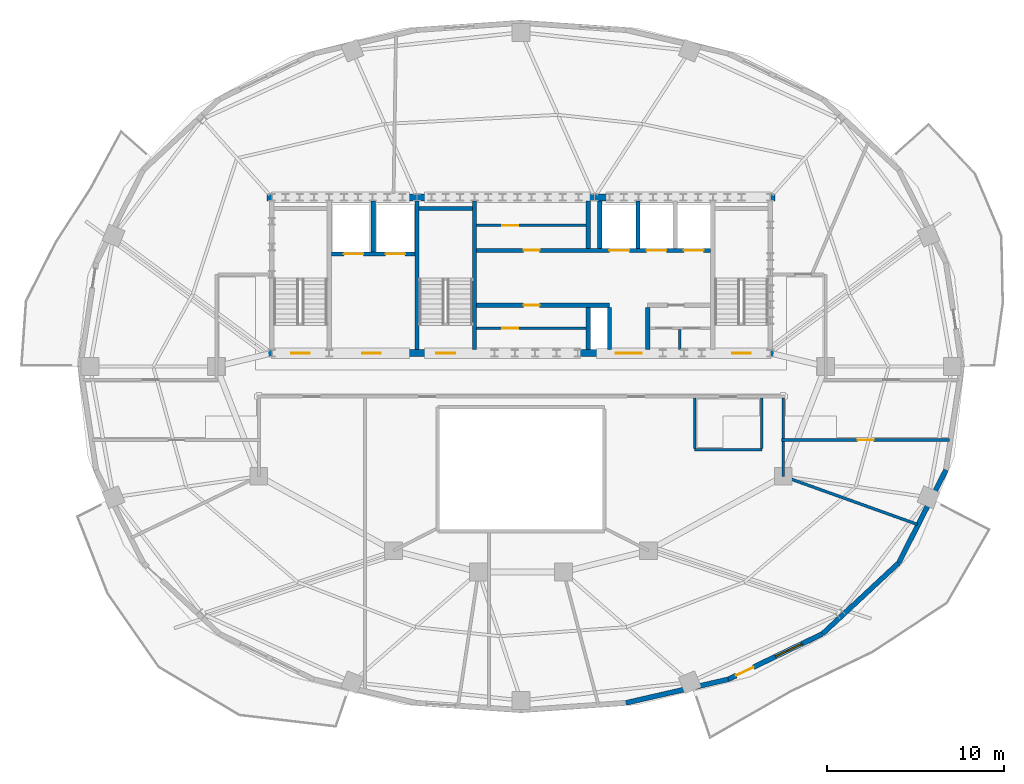
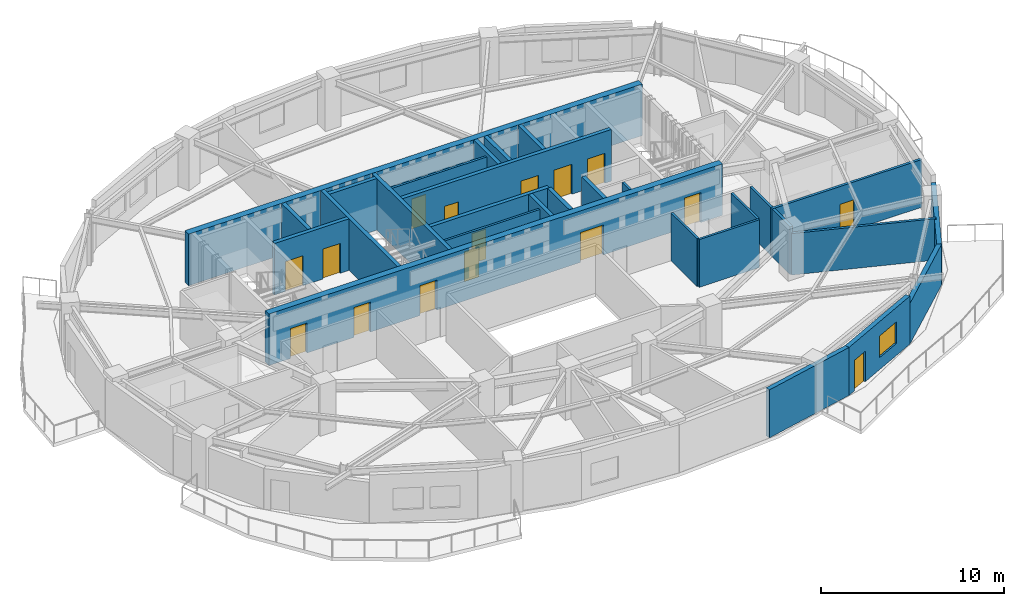
# One storey, part 4 of 10: 29 walls, 16 doors, 1 window, 17 openings.
"""IFC4 building model written with IfcOpenShell, lengths in metres."""

from ifc_helpers import new_model, si_unit, direction, frame, frame_2d, origin, place, context, subcontext, project, spatial, rectangle, extrude, material, layer, layer_set, type_object, element, fill, save


model = new_model("IFC4")

# Units and contexts
model_context = context("Model", 3, precision=1e-05, world=origin(), true_north=direction((0.0, 1.0)))
body_context = subcontext(model_context, "Body", "Model", "MODEL_VIEW")
ifc_project = project(units=[si_unit("LENGTHUNIT", "METRE"), si_unit("AREAUNIT", "SQUARE_METRE"), si_unit("VOLUMEUNIT", "CUBIC_METRE"), si_unit("PLANEANGLEUNIT", "RADIAN"), si_unit("MASSUNIT", "GRAM", prefix="KILO")], contexts=[model_context])

# Site, building, storey
site_placement = place(None, origin())
site = spatial("IfcSite", under=ifc_project, at=site_placement, CompositionType="ELEMENT")
building_placement = place(site_placement, origin())
building = spatial("IfcBuilding", under=site, at=building_placement, Name="Haldorwick Loom Tower", CompositionType="ELEMENT")
storey_placement = place(building_placement, frame((0.0, 0.0, 255.75)))
storey = spatial("IfcBuildingStorey", under=building, at=storey_placement, Name="L69", CompositionType="ELEMENT", Elevation=255.75)

# Wall
ifc_material_1 = material(Name="Pressed Clay Face Brick and Insulated Masonry Backup Assembly", Category="masonry")
ifc_layer_1 = layer(ifc_material_1, 0.280029296875, Name="Pressed Clay Face Brick and Insulated Masonry Backup Assembly", Category="masonry")
ifc_layer_set_1 = layer_set([ifc_layer_1], Name="Pressed Clay Face Brick and Insulated Masonry Backup Assembly")
wall_type_1 = type_object("IfcWallType", Name="ARC-WL-EXT280", PredefinedType="STANDARD", material=ifc_layer_set_1)
wall_1_placement = place(storey_placement, frame((41.91943359375, 7.006103515625, 0.0), z_axis=(0.0, 0.0, 1.0), x_axis=(0.974589984037, 0.223996345987, 0.0)))
element("IfcWall", 1, at=wall_1_placement, inside=storey, type_object=wall_type_1, Name="L69 Brick Pier and Spandrel Wall 20", PredefinedType="STANDARD", context=body_context, shape_type="SweptSolid", body=[
    extrude(rectangle(XDim=5.92919921875, YDim=0.280029296875, at=frame_2d((2.964599609375, 0.0))), origin(), (0.0, 0.0, 1.0), 3.2099609375),
])

# Wall, openings, door, window
wall_2_placement = place(storey_placement, frame((47.697998046875, 8.334228515625, 0.0), z_axis=(0.0, 0.0, 1.0), x_axis=(0.900481907967, 0.434893473651, 0.0)))
wall_2 = element("IfcWall", 2, at=wall_2_placement, inside=storey, type_object=wall_type_1, Name="L69 Brick Pier and Spandrel Wall 21", PredefinedType="STANDARD", context=body_context, shape_type="SweptSolid", body=[
    extrude(rectangle(XDim=5.90966796875, YDim=0.280029296875, at=frame_2d((2.954833984375, 0.0))), origin(), (0.0, 0.0, 1.0), 3.2099609375),
])
opening_1_placement = place(wall_2_placement, frame((0.495849609375, 0.0, 0.0)))
opening_1 = element("IfcOpeningElement", 3, at=opening_1_placement, cuts=wall_2, Name="Opening D-BL11", PredefinedType="OPENING", context=body_context, shape_type="SweptSolid", body=[
    extrude(rectangle(XDim=1.080078125, YDim=2.0400390625, at=frame_2d((0.5400390625, 1.02001953125))), frame((0.0, 0.14990234375, 0.0), z_axis=(0.0, -1.0, 0.0), x_axis=(1.0, 0.0, 0.0)), (0.0, 0.0, 1.0), 0.300048828125),
])
opening_2_placement = place(wall_2_placement, frame((2.965087890625, 0.0, 0.800048828125)))
opening_2 = element("IfcOpeningElement", 4, at=opening_2_placement, cuts=wall_2, Name="Opening W-01B", PredefinedType="OPENING", context=body_context, shape_type="SweptSolid", body=[
    extrude(rectangle(XDim=1.64990234375, YDim=1.449951171875, at=frame_2d((0.824951171875, 0.72509765625))), frame((0.0, 0.14990234375, 0.0), z_axis=(0.0, -1.0, 0.0), x_axis=(1.0, 0.0, 0.0)), (0.0, 0.0, 1.0), 0.300048828125),
])
ifc_material_2 = material(Name="Thermally Broken Anodized Aluminium Curtain Wall Framing", Category="aluminium")
door_type_1 = type_object("IfcDoorType", Name="ARC-DR-BAL110", OperationType="NOTDEFINED", PredefinedType="DOOR", material=ifc_material_2)
door_1_placement = place(opening_1_placement, origin())
door_1 = element("IfcDoor", 5, at=door_1_placement, inside=storey, type_object=door_type_1, Name="L69 Outdoor Terrace Door SLB-L69-BAL_SE", OperationType="SINGLE_SWING_RIGHT", OverallHeight=2.0400390625, OverallWidth=1.080078125, PredefinedType="DOOR", context=body_context, shape_type="SweptSolid", body=[
    extrude(rectangle(XDim=1.080078125, YDim=2.0400390625, at=frame_2d((0.5400390625, 1.02001953125))), frame((0.0, 0.02490234375, 0.0), z_axis=(0.0, -1.0, 0.0), x_axis=(1.0, 0.0, 0.0)), (0.0, 0.0, 1.0), 0.050048828125),
])
fill(opening_1, door_1)
ifc_material_3 = material(Name="Triple-Glazed Low-E Argon Insulated Glazing Unit", Category="glass")
window_type = type_object("IfcWindowType", Name="ARC-WIN-W165", PartitioningType="SINGLE_PANEL", PredefinedType="WINDOW", material=ifc_material_3)
window_placement = place(opening_2_placement, origin())
window = element("IfcWindow", 6, at=window_placement, inside=storey, type_object=window_type, Name="L69 Deep-Set Zone 7A Window 21", OverallHeight=1.449951171875, OverallWidth=1.64990234375, PartitioningType="SINGLE_PANEL", PredefinedType="WINDOW", context=body_context, shape_type="SweptSolid", body=[
    extrude(rectangle(XDim=1.64990234375, YDim=1.449951171875, at=frame_2d((0.824951171875, 0.72509765625))), frame((0.0, 0.030029296875, 0.0), z_axis=(0.0, -1.0, 0.0), x_axis=(1.0, 0.0, 0.0)), (0.0, 0.0, 1.0), 0.06005859375),
])
fill(opening_2, window)

# Walls
wall_3_placement = place(storey_placement, frame((53.01953125, 10.904296875, 0.0), z_axis=(0.0, 0.0, 1.0), x_axis=(0.731924682982, 0.68138554317, 0.0)))
element("IfcWall", 7, at=wall_3_placement, inside=storey, type_object=wall_type_1, Name="L69 Brick Pier and Spandrel Wall 22", PredefinedType="STANDARD", context=body_context, shape_type="SweptSolid", body=[
    extrude(rectangle(XDim=5.87890625, YDim=0.280029296875, at=frame_2d((2.939453125, 0.0))), origin(), (0.0, 0.0, 1.0), 2.718994140625),
])
wall_4_placement = place(storey_placement, frame((57.322509765625, 14.91015625, 0.0), z_axis=(0.0, 0.0, 1.0), x_axis=(0.453100705059, 0.89145933787, 0.0)))
element("IfcWall", 8, at=wall_4_placement, inside=storey, type_object=wall_type_1, Name="L69 Brick Pier and Spandrel Wall 23", PredefinedType="STANDARD", context=body_context, shape_type="SweptSolid", body=[
    extrude(rectangle(XDim=5.879150390625, YDim=0.280029296875, at=frame_2d((2.939453125, 0.0))), origin(), (0.0, 0.0, 1.0), 2.718994140625),
])

# Wall, opening, door
ifc_material_4 = material(Name="Fire-Rated Type X Gypsum Stud Assembly EI 60")
ifc_layer_2 = layer(ifc_material_4, 0.159912109375, Name="Fire-Rated Type X Gypsum Stud Assembly EI 60")
ifc_layer_set_2 = layer_set([ifc_layer_2], Name="Fire-Rated Type X Gypsum Stud Assembly EI 60")
wall_type_2 = type_object("IfcWallType", Name="ARC-WL-FIRE160", PredefinedType="PARTITIONING", material=ifc_layer_set_2)
wall_5_placement = place(storey_placement, frame((50.699951171875, 21.85009765625, 0.0), z_axis=(0.0, 0.0, 1.0), x_axis=(1.0, 0.0, 0.0)))
wall_5 = element("IfcWall", 9, at=wall_5_placement, inside=storey, type_object=wall_type_2, Name="L69 Residential Fire Partition L69-CR-SPE", PredefinedType="PARTITIONING", context=body_context, shape_type="SweptSolid", body=[
    extrude(rectangle(XDim=9.49951171875, YDim=0.159912109375, at=frame_2d((4.749755859375, 0.0))), origin(), (0.0, 0.0, 1.0), 3.195068359375),
])
opening_3_placement = place(wall_5_placement, frame((4.2998046875, 0.0, 0.0)))
opening_3 = element("IfcOpeningElement", 10, at=opening_3_placement, cuts=wall_5, Name="Opening D-FD60A", PredefinedType="OPENING", context=body_context, shape_type="SweptSolid", body=[
    extrude(rectangle(XDim=0.89990234375, YDim=2.0, at=frame_2d((0.449951171875, 1.0))), frame((0.0, 0.08984375, 0.0), z_axis=(0.0, -1.0, 0.0), x_axis=(1.0, 0.0, 0.0)), (0.0, 0.0, 1.0), 0.179931640625),
])
ifc_material_5 = material(Name="Hollow Steel Fire Door Assembly", Category="steel")
door_type_2 = type_object("IfcDoorType", Name="ARC-DR-FD60-90", OperationType="NOTDEFINED", PredefinedType="DOOR", material=ifc_material_5)
door_2_placement = place(opening_3_placement, origin())
door_2 = element("IfcDoor", 11, at=door_2_placement, inside=storey, type_object=door_type_2, Name="L69 L69 Central Residential Corridor to Community Music Hall 2 Door", OperationType="SINGLE_SWING_LEFT", OverallHeight=2.0, OverallWidth=0.89990234375, PredefinedType="DOOR", context=body_context, shape_type="SweptSolid", body=[
    extrude(rectangle(XDim=0.89990234375, YDim=2.0, at=frame_2d((0.449951171875, 1.0))), frame((0.0, 0.02490234375, 0.0), z_axis=(0.0, -1.0, 0.0), x_axis=(1.0, 0.0, 0.0)), (0.0, 0.0, 1.0), 0.050048828125),
])
fill(opening_3, door_2)

# Walls
wall_6_placement = place(storey_placement, frame((50.800048828125, 21.93310546875, 0.0), z_axis=(0.0, 0.0, 1.0), x_axis=(0.0, 1.0, 0.0)))
element("IfcWall", 12, at=wall_6_placement, inside=storey, type_object=wall_type_2, Name="L69 Residential Fire Partition L69-CR-STE", PredefinedType="PARTITIONING", context=body_context, shape_type="SweptSolid", body=[
    extrude(rectangle(XDim=2.283935546875, YDim=0.159912109375, at=frame_2d((1.14208984375, 0.0))), origin(), (0.0, 0.0, 1.0), 3.195068359375),
])
wall_7_placement = place(storey_placement, frame((50.800048828125, 19.800048828125, 0.0), z_axis=(0.0, 0.0, 1.0), x_axis=(0.941291581211, -0.337594666931, 0.0)))
element("IfcWall", 13, at=wall_7_placement, inside=storey, type_object=wall_type_2, Name="L69 Residential Fire Partition L69-ICR-02", PredefinedType="PARTITIONING", context=body_context, shape_type="SweptSolid", body=[
    extrude(rectangle(XDim=8.049072265625, YDim=0.159912109375, at=frame_2d((4.0244140625, 0.0))), origin(), (0.0, 0.0, 1.0), 2.77197265625),
])
wall_8_placement = place(storey_placement, frame((50.800048828125, 21.76708984375, 0.0), z_axis=(0.0, 0.0, 1.0), x_axis=(0.0, -1.0, 0.0)))
element("IfcWall", 14, at=wall_8_placement, inside=storey, type_object=wall_type_2, Name="L69 Residential Fire Partition L69-ICA-01", PredefinedType="PARTITIONING", context=body_context, shape_type="SweptSolid", body=[
    extrude(rectangle(XDim=1.967041015625, YDim=0.159912109375, at=frame_2d((0.9833984375, 0.0))), origin(), (0.0, 0.0, 1.0), 3.195068359375),
])

# Wall, opening, door
ifc_layer_3 = layer(ifc_material_4, 0.139892578125, Name="Fire-Rated Type X Gypsum Stud Assembly EI 60")
ifc_layer_set_3 = layer_set([ifc_layer_3], Name="Fire-Rated Type X Gypsum Stud Assembly EI 60")
wall_type_3 = type_object("IfcWallType", Name="ARC-WL-PART140", PredefinedType="PARTITIONING", material=ifc_layer_set_3)
wall_9_placement = place(storey_placement, frame((33.492919921875, 33.9599609375, 0.0), z_axis=(0.0, 0.0, 1.0), x_axis=(1.0, 0.0, 0.0)))
wall_9 = element("IfcWall", 15, at=wall_9_placement, inside=storey, type_object=wall_type_3, Name="L69 Alcove Partition", PredefinedType="PARTITIONING", context=body_context, shape_type="SweptSolid", body=[
    extrude(rectangle(XDim=6.18408203125, YDim=0.139892578125, at=frame_2d((3.092041015625, 0.0))), origin(), (0.0, 0.0, 1.0), 3.195068359375),
])
opening_4_placement = place(wall_9_placement, frame((1.45703125, 0.0, 0.0)))
opening_4 = element("IfcOpeningElement", 16, at=opening_4_placement, cuts=wall_9, Name="Opening D-FD60A", PredefinedType="OPENING", context=body_context, shape_type="SweptSolid", body=[
    extrude(rectangle(XDim=0.89990234375, YDim=2.0, at=frame_2d((0.449951171875, 1.0))), frame((0.0, 0.079833984375, 0.0), z_axis=(0.0, -1.0, 0.0), x_axis=(1.0, 0.0, 0.0)), (0.0, 0.0, 1.0), 0.159912109375),
])
door_3_placement = place(opening_4_placement, frame((0.89990234375, 0.0, 0.0), z_axis=(0.0, 0.0, 1.0), x_axis=(-1.0, 0.0, 0.0)))
door_3 = element("IfcDoor", 17, at=door_3_placement, inside=storey, type_object=door_type_2, Name="L69 Trunk Store Door", OperationType="SINGLE_SWING_LEFT", OverallHeight=2.0, OverallWidth=0.89990234375, PredefinedType="DOOR", context=body_context, shape_type="SweptSolid", body=[
    extrude(rectangle(XDim=0.89990234375, YDim=2.0, at=frame_2d((0.449951171875, 1.0))), frame((0.0, 0.02490234375, 0.0), z_axis=(0.0, -1.0, 0.0), x_axis=(1.0, 0.0, 0.0)), (0.0, 0.0, 1.0), 0.050048828125),
])
fill(opening_4, door_3)

wall_10_placement = place(storey_placement, frame((33.492919921875, 28.159912109375, 0.0), z_axis=(0.0, 0.0, 1.0), x_axis=(1.0, 0.0, 0.0)))
wall_10 = element("IfcWall", 18, at=wall_10_placement, inside=storey, type_object=wall_type_3, Name="L69 Mid-Bank Horizontal Partition", PredefinedType="PARTITIONING", context=body_context, shape_type="SweptSolid", body=[
    extrude(rectangle(XDim=6.18408203125, YDim=0.139892578125, at=frame_2d((3.092041015625, 0.0))), origin(), (0.0, 0.0, 1.0), 3.195068359375),
])
opening_5_placement = place(wall_10_placement, frame((1.45703125, 0.0, 0.0)))
opening_5 = element("IfcOpeningElement", 19, at=opening_5_placement, cuts=wall_10, Name="Opening D-FD60A", PredefinedType="OPENING", context=body_context, shape_type="SweptSolid", body=[
    extrude(rectangle(XDim=0.89990234375, YDim=2.0, at=frame_2d((0.449951171875, 1.0))), frame((0.0, 0.079833984375, 0.0), z_axis=(0.0, -1.0, 0.0), x_axis=(1.0, 0.0, 0.0)), (0.0, 0.0, 1.0), 0.159912109375),
])
door_4_placement = place(opening_5_placement, origin())
door_4 = element("IfcDoor", 20, at=door_4_placement, inside=storey, type_object=door_type_2, Name="L69 Archive Store Door", OperationType="SINGLE_SWING_RIGHT", OverallHeight=2.0, OverallWidth=0.89990234375, PredefinedType="DOOR", context=body_context, shape_type="SweptSolid", body=[
    extrude(rectangle(XDim=0.89990234375, YDim=2.0, at=frame_2d((0.449951171875, 1.0))), frame((0.0, 0.02490234375, 0.0), z_axis=(0.0, -1.0, 0.0), x_axis=(1.0, 0.0, 0.0)), (0.0, 0.0, 1.0), 0.050048828125),
])
fill(opening_5, door_4)

# Walls
wall_11_placement = place(storey_placement, frame((44.949951171875, 26.952880859375, 0.0), z_axis=(0.0, 0.0, 1.0), x_axis=(0.0, 1.0, 0.0)))
element("IfcWall", 21, at=wall_11_placement, inside=storey, type_object=wall_type_3, Name="L69 Metering Sub-Partition", PredefinedType="PARTITIONING", context=body_context, shape_type="SweptSolid", body=[
    extrude(rectangle(XDim=1.134033203125, YDim=0.139892578125, at=frame_2d((0.56689453125, 0.0))), origin(), (0.0, 0.0, 1.0), 3.195068359375),
])
wall_12_placement = place(storey_placement, frame((45.800048828125, 21.300048828125, 0.0), z_axis=(0.0, 0.0, 1.0), x_axis=(1.0, 0.0, 0.0)))
element("IfcWall", 22, at=wall_12_placement, inside=storey, type_object=wall_type_3, Name="L69 Residential Fire Partition L69-CWC-S", PredefinedType="PARTITIONING", context=body_context, shape_type="SweptSolid", body=[
    extrude(rectangle(XDim=3.800048828125, YDim=0.139892578125, at=frame_2d((1.89990234375, 0.0))), origin(), (0.0, 0.0, 1.0), 3.195068359375),
])
for number, where, z_axis, x_axis, name in (
    (23, (45.800048828125, 21.373046875, 0.0), (0.0, 0.0, 1.0), (0.0, 1.0, 0.0), "L69 Residential Fire Partition L69-CWC-W"),
    (24, (49.60009765625, 21.373046875, 0.0), (0.0, 0.0, 1.0), (0.0, 1.0, 0.0), "L69 Residential Fire Partition L69-CWC-E"),
):
    element("IfcWall", number, at=place(storey_placement, frame(where, z_axis=z_axis, x_axis=x_axis)), inside=storey, type_object=wall_type_3, Name=name, PredefinedType="PARTITIONING", context=body_context, shape_type="SweptSolid", body=[
        extrude(rectangle(XDim=2.843994140625, YDim=0.139892578125, at=frame_2d((1.421875, 0.0))), origin(), (0.0, 0.0, 1.0), 3.195068359375),
    ])

# Wall, openings, doors
ifc_material_6 = material(Name="Concrete C50 (50 MPa)", Category="concrete")
ifc_layer_4 = layer(ifc_material_6, 0.39990234375, Name="Concrete C50 (50 MPa)", Category="concrete")
ifc_layer_set_4 = layer_set([ifc_layer_4], Name="Concrete C50 (50 MPa)")
wall_type_4 = type_object("IfcWallType", Name="STR-WL-CORE400", PredefinedType="SHEAR", material=ifc_layer_set_4)
wall_13_placement = place(storey_placement, frame((21.64990234375, 26.75, 0.0), z_axis=(0.0, 0.0, 1.0), x_axis=(1.0, 0.0, 0.0)))
wall_13 = element("IfcWall", 25, at=wall_13_placement, inside=storey, type_object=wall_type_4, Name="L69 Core Shear Wall S", PredefinedType="SHEAR", context=body_context, shape_type="SweptSolid", body=[
    extrude(rectangle(XDim=28.7001953125, YDim=0.39990234375, at=frame_2d((14.35009765625, 0.0))), origin(), (0.0, 0.0, 1.0), 3.449951171875),
])
opening_6_placement = place(wall_13_placement, frame((1.375, 0.0, 0.0)))
opening_6 = element("IfcOpeningElement", 26, at=opening_6_placement, cuts=wall_13, Name="Opening D-FD60", PredefinedType="OPENING", context=body_context, shape_type="SweptSolid", body=[
    extrude(rectangle(XDim=1.050048828125, YDim=2.0, at=frame_2d((0.52490234375, 1.0))), frame((0.0, 0.2099609375, 0.0), z_axis=(0.0, -1.0, 0.0), x_axis=(1.0, 0.0, 0.0)), (0.0, 0.0, 1.0), 0.419921875),
])
opening_7_placement = place(wall_13_placement, frame((5.375, 0.0, 0.0)))
opening_7 = element("IfcOpeningElement", 27, at=opening_7_placement, cuts=wall_13, Name="Opening D-FD60", PredefinedType="OPENING", context=body_context, shape_type="SweptSolid", body=[
    extrude(rectangle(XDim=1.050048828125, YDim=2.0, at=frame_2d((0.52490234375, 1.0))), frame((0.0, 0.2099609375, 0.0), z_axis=(0.0, -1.0, 0.0), x_axis=(1.0, 0.0, 0.0)), (0.0, 0.0, 1.0), 0.419921875),
])
opening_8_placement = place(wall_13_placement, frame((9.574951171875, 0.0, 0.0)))
opening_8 = element("IfcOpeningElement", 28, at=opening_8_placement, cuts=wall_13, Name="Opening D-FD60", PredefinedType="OPENING", context=body_context, shape_type="SweptSolid", body=[
    extrude(rectangle(XDim=1.050048828125, YDim=2.0, at=frame_2d((0.52490234375, 1.0))), frame((0.0, 0.2099609375, 0.0), z_axis=(0.0, -1.0, 0.0), x_axis=(1.0, 0.0, 0.0)), (0.0, 0.0, 1.0), 0.419921875),
])
opening_9_placement = place(wall_13_placement, frame((19.705078125, 0.0, 0.0)))
opening_9 = element("IfcOpeningElement", 29, at=opening_9_placement, cuts=wall_13, Name="Opening D-LB15", PredefinedType="OPENING", context=body_context, shape_type="SweptSolid", body=[
    extrude(rectangle(XDim=1.449951171875, YDim=2.0, at=frame_2d((0.72509765625, 1.0))), frame((0.0, 0.2099609375, 0.0), z_axis=(0.0, -1.0, 0.0), x_axis=(1.0, 0.0, 0.0)), (0.0, 0.0, 1.0), 0.419921875),
])
opening_10_placement = place(wall_13_placement, frame((26.27490234375, 0.0, 0.0)))
opening_10 = element("IfcOpeningElement", 30, at=opening_10_placement, cuts=wall_13, Name="Opening D-FD60", PredefinedType="OPENING", context=body_context, shape_type="SweptSolid", body=[
    extrude(rectangle(XDim=1.050048828125, YDim=2.0, at=frame_2d((0.52490234375, 1.0))), frame((0.0, 0.2099609375, 0.0), z_axis=(0.0, -1.0, 0.0), x_axis=(1.0, 0.0, 0.0)), (0.0, 0.0, 1.0), 0.419921875),
])
door_type_3 = type_object("IfcDoorType", Name="ARC-DR-FD60", OperationType="NOTDEFINED", PredefinedType="DOOR", material=ifc_material_5)
door_5_placement = place(opening_6_placement, origin())
door_5 = element("IfcDoor", 31, at=door_5_placement, inside=storey, type_object=door_type_3, Name="L69 Exit Stair ST-01 Fire Door", OperationType="SINGLE_SWING_LEFT", OverallHeight=2.0, OverallWidth=1.050048828125, PredefinedType="DOOR", context=body_context, shape_type="SweptSolid", body=[
    extrude(rectangle(XDim=1.050048828125, YDim=2.0, at=frame_2d((0.52490234375, 1.0))), frame((0.0, 0.02490234375, 0.0), z_axis=(0.0, -1.0, 0.0), x_axis=(1.0, 0.0, 0.0)), (0.0, 0.0, 1.0), 0.050048828125),
])
fill(opening_6, door_5)
door_6_placement = place(opening_7_placement, origin())
door_6 = element("IfcDoor", 32, at=door_6_placement, inside=storey, type_object=door_type_3, Name="L69 Firefighting Lift Lobby Fire Door", OperationType="SINGLE_SWING_RIGHT", OverallHeight=2.0, OverallWidth=1.050048828125, PredefinedType="DOOR", context=body_context, shape_type="SweptSolid", body=[
    extrude(rectangle(XDim=1.050048828125, YDim=2.0, at=frame_2d((0.52490234375, 1.0))), frame((0.0, 0.02490234375, 0.0), z_axis=(0.0, -1.0, 0.0), x_axis=(1.0, 0.0, 0.0)), (0.0, 0.0, 1.0), 0.050048828125),
])
fill(opening_7, door_6)
door_7_placement = place(opening_8_placement, origin())
door_7 = element("IfcDoor", 33, at=door_7_placement, inside=storey, type_object=door_type_3, Name="L69 Exit Stair ST-03 Fire Door", OperationType="SINGLE_SWING_LEFT", OverallHeight=2.0, OverallWidth=1.050048828125, PredefinedType="DOOR", context=body_context, shape_type="SweptSolid", body=[
    extrude(rectangle(XDim=1.050048828125, YDim=2.0, at=frame_2d((0.52490234375, 1.0))), frame((0.0, 0.02490234375, 0.0), z_axis=(0.0, -1.0, 0.0), x_axis=(1.0, 0.0, 0.0)), (0.0, 0.0, 1.0), 0.050048828125),
])
fill(opening_8, door_7)
door_8_placement = place(opening_10_placement, origin())
door_8 = element("IfcDoor", 34, at=door_8_placement, inside=storey, type_object=door_type_3, Name="L69 Exit Stair ST-02 Fire Door", OperationType="SINGLE_SWING_LEFT", OverallHeight=2.0, OverallWidth=1.050048828125, PredefinedType="DOOR", context=body_context, shape_type="SweptSolid", body=[
    extrude(rectangle(XDim=1.050048828125, YDim=2.0, at=frame_2d((0.52490234375, 1.0))), frame((0.0, 0.02490234375, 0.0), z_axis=(0.0, -1.0, 0.0), x_axis=(1.0, 0.0, 0.0)), (0.0, 0.0, 1.0), 0.050048828125),
])
fill(opening_10, door_8)
ifc_material_7 = material(Name="Thermally Broken Anodized Aluminium and Tempered Glass", Category="aluminium")
door_type_4 = type_object("IfcDoorType", Name="ARC-DR-LOB150", OperationType="NOTDEFINED", PredefinedType="DOOR", material=ifc_material_7)
door_9_placement = place(opening_9_placement, frame((1.449951171875, 0.0, 0.0), z_axis=(0.0, 0.0, 1.0), x_axis=(-1.0, 0.0, 0.0)))
door_9 = element("IfcDoor", 35, at=door_9_placement, inside=storey, type_object=door_type_4, Name="L69 Passenger Lift Lobby Fire Door", OperationType="DOUBLE_DOOR_SINGLE_SWING", OverallHeight=2.0, OverallWidth=1.449951171875, PredefinedType="DOOR", context=body_context, shape_type="SweptSolid", body=[
    extrude(rectangle(XDim=1.449951171875, YDim=2.0, at=frame_2d((0.72509765625, 1.0))), frame((0.0, 0.02490234375, 0.0), z_axis=(0.0, -1.0, 0.0), x_axis=(1.0, 0.0, 0.0)), (0.0, 0.0, 1.0), 0.050048828125),
])
fill(opening_9, door_9)

# Walls
wall_14_placement = place(storey_placement, frame((50.35009765625, 35.550048828125, 0.0), z_axis=(0.0, 0.0, 1.0), x_axis=(-1.0, 0.0, 0.0)))
element("IfcWall", 36, at=wall_14_placement, inside=storey, type_object=wall_type_4, Name="L69 Core Shear Wall N", PredefinedType="SHEAR", context=body_context, shape_type="SweptSolid", body=[
    extrude(rectangle(XDim=28.7001953125, YDim=0.39990234375, at=frame_2d((14.35009765625, 0.0))), origin(), (0.0, 0.0, 1.0), 3.449951171875),
])
ifc_layer_5 = layer(ifc_material_6, 0.239990234375, Name="Concrete C50 (50 MPa)", Category="concrete")
ifc_layer_set_5 = layer_set([ifc_layer_5], Name="Concrete C50 (50 MPa)")
wall_type_5 = type_object("IfcWallType", Name="STR-WL-SHAFT240", PredefinedType="SHEAR", material=ifc_layer_set_5)
for number, where, z_axis, x_axis, name in (
    (37, (30.1298828125, 26.952880859375, 0.0), (0.0, 0.0, 1.0), (0.0, 1.0, 0.0), "L69 Core Shear Wall 2"),
    (38, (33.3701171875, 26.952880859375, 0.0), (0.0, 0.0, 1.0), (0.0, 1.0, 0.0), "L69 Core Shear Wall 3"),
):
    element("IfcWall", number, at=place(storey_placement, frame(where, z_axis=z_axis, x_axis=x_axis)), inside=storey, type_object=wall_type_5, Name=name, PredefinedType="SHEAR", context=body_context, shape_type="SweptSolid", body=[
        extrude(rectangle(XDim=8.39404296875, YDim=0.239990234375, at=frame_2d((4.197021484375, 0.0))), origin(), (0.0, 0.0, 1.0), 3.449951171875),
    ])
wall_15_placement = place(storey_placement, frame((30.2529296875, 34.919921875, 0.0), z_axis=(0.0, 0.0, 1.0), x_axis=(1.0, 0.0, 0.0)))
element("IfcWall", 39, at=wall_15_placement, inside=storey, type_object=wall_type_5, Name="L69 Core Shear Wall 3N", PredefinedType="SHEAR", context=body_context, shape_type="SweptSolid", body=[
    extrude(rectangle(XDim=2.994140625, YDim=0.239990234375, at=frame_2d((1.4970703125, 0.0))), origin(), (0.0, 0.0, 1.0), 3.449951171875),
])

# Wall, openings, doors
wall_16_placement = place(storey_placement, frame((25.29296875, 32.35009765625, 0.0), z_axis=(0.0, 0.0, 1.0), x_axis=(1.0, 0.0, 0.0)))
wall_16 = element("IfcWall", 40, at=wall_16_placement, inside=storey, type_object=wall_type_5, Name="L69 Core Shear Wall FF", PredefinedType="SHEAR", context=body_context, shape_type="SweptSolid", body=[
    extrude(rectangle(XDim=4.714111328125, YDim=0.239990234375, at=frame_2d((2.35693359375, 0.0))), origin(), (0.0, 0.0, 1.0), 3.449951171875),
])
opening_11_placement = place(wall_16_placement, frame((0.70703125, 0.0, 0.0)))
opening_11 = element("IfcOpeningElement", 41, at=opening_11_placement, cuts=wall_16, Name="Opening LD-FF1", PredefinedType="OPENING", context=body_context, shape_type="SweptSolid", body=[
    extrude(rectangle(XDim=1.10009765625, YDim=2.0, at=frame_2d((0.550048828125, 1.0))), frame((0.0, 0.1298828125, 0.0), z_axis=(0.0, -1.0, 0.0), x_axis=(1.0, 0.0, 0.0)), (0.0, 0.0, 1.0), 0.260009765625),
])
opening_12_placement = place(wall_16_placement, frame((3.056884765625, 0.0, 0.0)))
opening_12 = element("IfcOpeningElement", 42, at=opening_12_placement, cuts=wall_16, Name="Opening LD-FF2", PredefinedType="OPENING", context=body_context, shape_type="SweptSolid", body=[
    extrude(rectangle(XDim=1.10009765625, YDim=2.0, at=frame_2d((0.550048828125, 1.0))), frame((0.0, 0.1298828125, 0.0), z_axis=(0.0, -1.0, 0.0), x_axis=(1.0, 0.0, 0.0)), (0.0, 0.0, 1.0), 0.260009765625),
])
door_type_5 = type_object("IfcDoorType", Name="ARC-DR-LD-FF", OperationType="NOTDEFINED", PredefinedType="USERDEFINED", material=ifc_material_5)
door_10_placement = place(opening_11_placement, origin())
door_10 = element("IfcDoor", 43, at=door_10_placement, inside=storey, type_object=door_type_5, Name="L69 Lift LF-FF1 Sliding Landing Door", ObjectType="LANDING DOOR", OperationType="DOUBLE_DOOR_SLIDING", OverallHeight=2.0, OverallWidth=1.10009765625, PredefinedType="USERDEFINED", context=body_context, shape_type="SweptSolid", body=[
    extrude(rectangle(XDim=1.10009765625, YDim=2.0, at=frame_2d((0.550048828125, 1.0))), frame((0.0, 0.02490234375, 0.0), z_axis=(0.0, -1.0, 0.0), x_axis=(1.0, 0.0, 0.0)), (0.0, 0.0, 1.0), 0.050048828125),
])
fill(opening_11, door_10)
door_11_placement = place(opening_12_placement, origin())
door_11 = element("IfcDoor", 44, at=door_11_placement, inside=storey, type_object=door_type_5, Name="L69 Lift LF-FF2 Sliding Landing Door", ObjectType="LANDING DOOR", OperationType="DOUBLE_DOOR_SLIDING", OverallHeight=2.0, OverallWidth=1.10009765625, PredefinedType="USERDEFINED", context=body_context, shape_type="SweptSolid", body=[
    extrude(rectangle(XDim=1.10009765625, YDim=2.0, at=frame_2d((0.550048828125, 1.0))), frame((0.0, 0.02490234375, 0.0), z_axis=(0.0, -1.0, 0.0), x_axis=(1.0, 0.0, 0.0)), (0.0, 0.0, 1.0), 0.050048828125),
])
fill(opening_12, door_11)

# Wall
wall_17_placement = place(storey_placement, frame((27.64990234375, 32.472900390625, 0.0), z_axis=(0.0, 0.0, 1.0), x_axis=(0.0, 1.0, 0.0)))
element("IfcWall", 45, at=wall_17_placement, inside=storey, type_object=wall_type_5, Name="L69 Core Shear Wall FFD", PredefinedType="SHEAR", context=body_context, shape_type="SweptSolid", body=[
    extrude(rectangle(XDim=2.8740234375, YDim=0.239990234375, at=frame_2d((1.43701171875, 0.0))), origin(), (0.0, 0.0, 1.0), 3.449951171875),
])

# Wall, openings, doors
wall_18_placement = place(storey_placement, frame((33.492919921875, 32.550048828125, 0.0), z_axis=(0.0, 0.0, 1.0), x_axis=(1.0, 0.0, 0.0)))
wall_18 = element("IfcWall", 46, at=wall_18_placement, inside=storey, type_object=wall_type_5, Name="L69 Core Shear Wall LN", PredefinedType="SHEAR", context=body_context, shape_type="SweptSolid", body=[
    extrude(rectangle(XDim=13.214111328125, YDim=0.239990234375, at=frame_2d((6.60693359375, 0.0))), origin(), (0.0, 0.0, 1.0), 3.449951171875),
])
opening_13_placement = place(wall_18_placement, frame((2.656982421875, 0.0, 0.0)))
opening_13 = element("IfcOpeningElement", 47, at=opening_13_placement, cuts=wall_18, Name="Opening D-FD60A", PredefinedType="OPENING", context=body_context, shape_type="SweptSolid", body=[
    extrude(rectangle(XDim=0.89990234375, YDim=2.0, at=frame_2d((0.449951171875, 1.0))), frame((0.0, 0.1298828125, 0.0), z_axis=(0.0, -1.0, 0.0), x_axis=(1.0, 0.0, 0.0)), (0.0, 0.0, 1.0), 0.260009765625),
])
opening_14_placement = place(wall_18_placement, frame((7.4970703125, 0.0, 0.0)))
opening_14 = element("IfcOpeningElement", 48, at=opening_14_placement, cuts=wall_18, Name="Opening LD-H1", PredefinedType="OPENING", context=body_context, shape_type="SweptSolid", body=[
    extrude(rectangle(XDim=1.1201171875, YDim=2.0, at=frame_2d((0.56005859375, 1.0))), frame((0.0, 0.1298828125, 0.0), z_axis=(0.0, -1.0, 0.0), x_axis=(1.0, 0.0, 0.0)), (0.0, 0.0, 1.0), 0.260009765625),
])
opening_15_placement = place(wall_18_placement, frame((9.596923828125, 0.0, 0.0)))
opening_15 = element("IfcOpeningElement", 49, at=opening_15_placement, cuts=wall_18, Name="Opening LD-H2", PredefinedType="OPENING", context=body_context, shape_type="SweptSolid", body=[
    extrude(rectangle(XDim=1.1201171875, YDim=2.0, at=frame_2d((0.56005859375, 1.0))), frame((0.0, 0.1298828125, 0.0), z_axis=(0.0, -1.0, 0.0), x_axis=(1.0, 0.0, 0.0)), (0.0, 0.0, 1.0), 0.260009765625),
])
opening_16_placement = place(wall_18_placement, frame((11.697021484375, 0.0, 0.0)))
opening_16 = element("IfcOpeningElement", 50, at=opening_16_placement, cuts=wall_18, Name="Opening LD-H3", PredefinedType="OPENING", context=body_context, shape_type="SweptSolid", body=[
    extrude(rectangle(XDim=1.1201171875, YDim=2.0, at=frame_2d((0.56005859375, 1.0))), frame((0.0, 0.1298828125, 0.0), z_axis=(0.0, -1.0, 0.0), x_axis=(1.0, 0.0, 0.0)), (0.0, 0.0, 1.0), 0.260009765625),
])
door_12_placement = place(opening_13_placement, frame((0.89990234375, 0.0, 0.0), z_axis=(0.0, 0.0, 1.0), x_axis=(-1.0, 0.0, 0.0)))
door_12 = element("IfcDoor", 51, at=door_12_placement, inside=storey, type_object=door_type_2, Name="L69 Floor Equipment Door", OperationType="SINGLE_SWING_RIGHT", OverallHeight=2.0, OverallWidth=0.89990234375, PredefinedType="DOOR", context=body_context, shape_type="SweptSolid", body=[
    extrude(rectangle(XDim=0.89990234375, YDim=2.0, at=frame_2d((0.449951171875, 1.0))), frame((0.0, 0.02490234375, 0.0), z_axis=(0.0, -1.0, 0.0), x_axis=(1.0, 0.0, 0.0)), (0.0, 0.0, 1.0), 0.050048828125),
])
fill(opening_13, door_12)
door_type_6 = type_object("IfcDoorType", Name="ARC-DR-LD-PAX", OperationType="NOTDEFINED", PredefinedType="USERDEFINED", material=ifc_material_5)
door_13_placement = place(opening_14_placement, origin())
door_13 = element("IfcDoor", 52, at=door_13_placement, inside=storey, type_object=door_type_6, Name="L69 Lift LF-H1 Sliding Landing Door", ObjectType="LANDING DOOR", OperationType="DOUBLE_DOOR_SLIDING", OverallHeight=2.0, OverallWidth=1.1201171875, PredefinedType="USERDEFINED", context=body_context, shape_type="SweptSolid", body=[
    extrude(rectangle(XDim=1.1201171875, YDim=2.0, at=frame_2d((0.56005859375, 1.0))), frame((0.0, 0.02490234375, 0.0), z_axis=(0.0, -1.0, 0.0), x_axis=(1.0, 0.0, 0.0)), (0.0, 0.0, 1.0), 0.050048828125),
])
fill(opening_14, door_13)
door_14_placement = place(opening_15_placement, origin())
door_14 = element("IfcDoor", 53, at=door_14_placement, inside=storey, type_object=door_type_6, Name="L69 Lift LF-H2 Sliding Landing Door", ObjectType="LANDING DOOR", OperationType="DOUBLE_DOOR_SLIDING", OverallHeight=2.0, OverallWidth=1.1201171875, PredefinedType="USERDEFINED", context=body_context, shape_type="SweptSolid", body=[
    extrude(rectangle(XDim=1.1201171875, YDim=2.0, at=frame_2d((0.56005859375, 1.0))), frame((0.0, 0.02490234375, 0.0), z_axis=(0.0, -1.0, 0.0), x_axis=(1.0, 0.0, 0.0)), (0.0, 0.0, 1.0), 0.050048828125),
])
fill(opening_15, door_14)
door_15_placement = place(opening_16_placement, origin())
door_15 = element("IfcDoor", 54, at=door_15_placement, inside=storey, type_object=door_type_6, Name="L69 Lift LF-H3 Sliding Landing Door", ObjectType="LANDING DOOR", OperationType="DOUBLE_DOOR_SLIDING", OverallHeight=2.0, OverallWidth=1.1201171875, PredefinedType="USERDEFINED", context=body_context, shape_type="SweptSolid", body=[
    extrude(rectangle(XDim=1.1201171875, YDim=2.0, at=frame_2d((0.56005859375, 1.0))), frame((0.0, 0.02490234375, 0.0), z_axis=(0.0, -1.0, 0.0), x_axis=(1.0, 0.0, 0.0)), (0.0, 0.0, 1.0), 0.050048828125),
])
fill(opening_16, door_15)

# Wall, opening, door
wall_19_placement = place(storey_placement, frame((33.492919921875, 29.449951171875, 0.0), z_axis=(0.0, 0.0, 1.0), x_axis=(1.0, 0.0, 0.0)))
wall_19 = element("IfcWall", 55, at=wall_19_placement, inside=storey, type_object=wall_type_5, Name="L69 Core Shear Wall LS1", PredefinedType="SHEAR", context=body_context, shape_type="SweptSolid", body=[
    extrude(rectangle(XDim=7.507080078125, YDim=0.239990234375, at=frame_2d((3.75341796875, 0.0))), origin(), (0.0, 0.0, 1.0), 3.449951171875),
])
opening_17_placement = place(wall_19_placement, frame((2.656982421875, 0.0, 0.0)))
opening_17 = element("IfcOpeningElement", 56, at=opening_17_placement, cuts=wall_19, Name="Opening D-FD60A", PredefinedType="OPENING", context=body_context, shape_type="SweptSolid", body=[
    extrude(rectangle(XDim=0.89990234375, YDim=2.0, at=frame_2d((0.449951171875, 1.0))), frame((0.0, 0.1298828125, 0.0), z_axis=(0.0, -1.0, 0.0), x_axis=(1.0, 0.0, 0.0)), (0.0, 0.0, 1.0), 0.260009765625),
])
door_16_placement = place(opening_17_placement, origin())
door_16 = element("IfcDoor", 57, at=door_16_placement, inside=storey, type_object=door_type_2, Name="L69 Metering Closet Door", OperationType="SINGLE_SWING_LEFT", OverallHeight=2.0, OverallWidth=0.89990234375, PredefinedType="DOOR", context=body_context, shape_type="SweptSolid", body=[
    extrude(rectangle(XDim=0.89990234375, YDim=2.0, at=frame_2d((0.449951171875, 1.0))), frame((0.0, 0.02490234375, 0.0), z_axis=(0.0, -1.0, 0.0), x_axis=(1.0, 0.0, 0.0)), (0.0, 0.0, 1.0), 0.050048828125),
])
fill(opening_17, door_16)

# Walls
for number, where, z_axis, x_axis, name in (
    (58, (41.0, 26.952880859375, 0.0), (0.0, 0.0, 1.0), (0.0, 1.0, 0.0), "L69 Core Shear Wall THW"),
    (59, (43.14990234375, 26.952880859375, 0.0), (0.0, 0.0, 1.0), (0.0, 1.0, 0.0), "L69 Core Shear Wall THE"),
):
    element("IfcWall", number, at=place(storey_placement, frame(where, z_axis=z_axis, x_axis=x_axis)), inside=storey, type_object=wall_type_5, Name=name, PredefinedType="SHEAR", context=body_context, shape_type="SweptSolid", body=[
        extrude(rectangle(XDim=2.3740234375, YDim=0.239990234375, at=frame_2d((1.18701171875, 0.0))), origin(), (0.0, 0.0, 1.0), 3.449951171875),
    ])
for number, where, z_axis, x_axis, name in (
    (60, (39.800048828125, 32.673095703125, 0.0), (0.0, 0.0, 1.0), (0.0, 1.0, 0.0), "L69 Core Shear Wall LHW"),
    (61, (40.449951171875, 32.673095703125, 0.0), (0.0, 0.0, 1.0), (0.0, 1.0, 0.0), "L69 Core Shear Wall H0"),
    (62, (42.60009765625, 32.673095703125, 0.0), (0.0, 0.0, 1.0), (0.0, 1.0, 0.0), "L69 Core Shear Wall H1"),
):
    element("IfcWall", number, at=place(storey_placement, frame(where, z_axis=z_axis, x_axis=x_axis)), inside=storey, type_object=wall_type_5, Name=name, PredefinedType="SHEAR", context=body_context, shape_type="SweptSolid", body=[
        extrude(rectangle(XDim=2.673828125, YDim=0.239990234375, at=frame_2d((1.3369140625, 0.0))), origin(), (0.0, 0.0, 1.0), 3.449951171875),
    ])
wall_20_placement = place(storey_placement, frame((39.800048828125, 26.952880859375, 0.0), z_axis=(0.0, 0.0, 1.0), x_axis=(0.0, 1.0, 0.0)))
element("IfcWall", 63, at=wall_20_placement, inside=storey, type_object=wall_type_5, Name="L69 Core Shear Wall MRW", PredefinedType="SHEAR", context=body_context, shape_type="SweptSolid", body=[
    extrude(rectangle(XDim=2.3740234375, YDim=0.239990234375, at=frame_2d((1.18701171875, 0.0))), origin(), (0.0, 0.0, 1.0), 3.449951171875),
])

save(model, "model.ifc")
